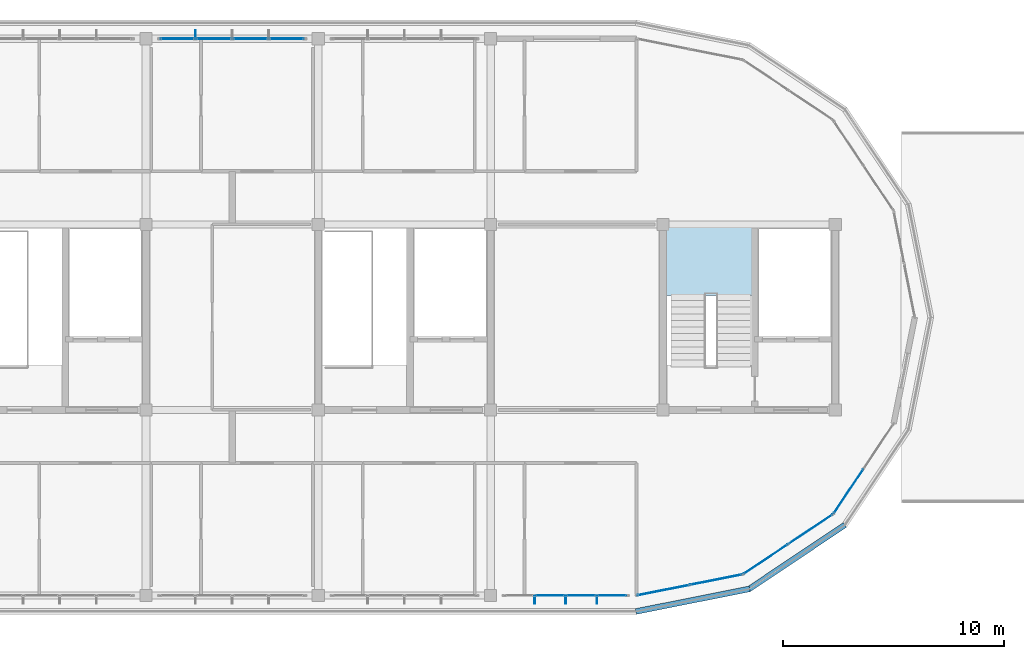
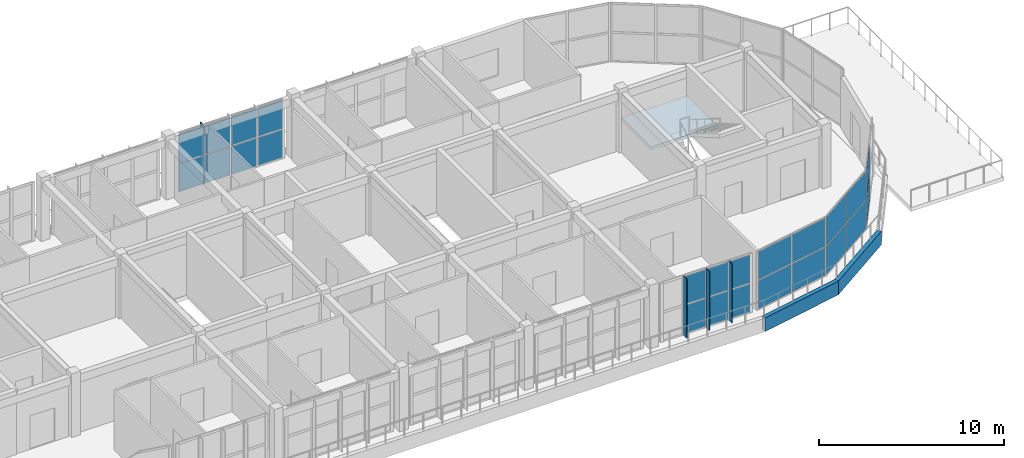
# One storey, part 26 of 33: 30 plates, 1 slab, 6 elements without a shape of their own.
"""IFC4 building model written with IfcOpenShell, lengths in metres."""

from ifc_helpers import new_model, si_unit, direction, frame, origin, origin_2d, place, context, subcontext, project, spatial, polyline, rectangle, outline, extrude, material, layer, layer_set, type_object, element, aggregate, save


model = new_model("IFC4")

# Units and contexts
model_context = context("Model", 3, precision=1e-05, world=origin(), true_north=direction((0.0, 1.0)))
body_context = subcontext(model_context, "Body", "Model", "MODEL_VIEW")
ifc_project = project(units=[si_unit("LENGTHUNIT", "METRE"), si_unit("AREAUNIT", "SQUARE_METRE"), si_unit("VOLUMEUNIT", "CUBIC_METRE"), si_unit("PLANEANGLEUNIT", "RADIAN"), si_unit("MASSUNIT", "GRAM", prefix="KILO")], contexts=[model_context])

# Site, building, storey
site_placement = place(None, origin())
site = spatial("IfcSite", under=ifc_project, at=site_placement, CompositionType="ELEMENT")
building_placement = place(site_placement, origin())
building = spatial("IfcBuilding", under=site, at=building_placement, Name="Zizhar Promenade General Hospital", CompositionType="ELEMENT")
storey_placement = place(building_placement, frame((0.0, 0.0, 39.0)))
storey = spatial("IfcBuildingStorey", under=building, at=storey_placement, Name="L09", CompositionType="ELEMENT", Elevation=39.0)

# Curtain wall, plates
ifc_material_1 = material(Name="Anodised aluminium 6063-T6 and low-E glass", Category="aluminium")
ifc_layer_1 = layer(ifc_material_1, 0.159912109375)
ifc_layer_set_1 = layer_set([ifc_layer_1], Name="Anodised aluminium 6063-T6 and low-E glass")
curtain_wall_type_1 = type_object("IfcCurtainWallType", Name="CW-WARD-ARC", PredefinedType="NOTDEFINED", material=ifc_layer_set_1)
curtain_wall_1_placement = place(storey_placement, origin())
curtain_wall_1 = element("IfcCurtainWall", 1, at=curtain_wall_1_placement, inside=storey, type_object=curtain_wall_type_1, Name="Ward Semicircular End Glazing L09-01", PredefinedType="NOTDEFINED")
ifc_material_2 = material(Name="Low-E solar-control glass", Category="glass")
ifc_layer_2 = layer(ifc_material_2, 0.031982421875)
ifc_layer_set_2 = layer_set([ifc_layer_2], Name="Low-E solar-control glass")
plate_type_1 = type_object("IfcPlateType", Name="CWP-GLZ-32", PredefinedType="CURTAIN_PANEL", material=ifc_layer_set_2)
plate_1_placement = place(storey_placement, frame((96.001708984375, 0.71630859375, 0.06005859375), z_axis=(0.0, 0.0, 1.0), x_axis=(-0.980785889615, -0.195087259275, 0.0)))
plate_1 = element("IfcPlate", 2, at=plate_1_placement, type_object=plate_type_1, Name="CW-12 panel 1.1", PredefinedType="CURTAIN_PANEL", context=body_context, shape_type="SweptSolid", body=[
    extrude(rectangle(XDim=2.3681640625, YDim=0.031982421875, at=origin_2d()), origin(), (0.0, 0.0, 1.0), 1.860107421875),
])
plate_2_placement = place(storey_placement, frame((96.001708984375, 0.71630859375, 1.97998046875), z_axis=(0.0, 0.0, 1.0), x_axis=(-0.980785889615, -0.195087259275, 0.0)))
plate_2 = element("IfcPlate", 3, at=plate_2_placement, type_object=plate_type_1, Name="CW-12 panel 1.2", PredefinedType="CURTAIN_PANEL", context=body_context, shape_type="SweptSolid", body=[
    extrude(rectangle(XDim=2.3681640625, YDim=0.031982421875, at=origin_2d()), origin(), (0.0, 0.0, 1.0), 1.860107421875),
])
plate_3_placement = place(storey_placement, frame((93.6201171875, 0.24267578125, 0.06005859375), z_axis=(0.0, 0.0, 1.0), x_axis=(-0.980785889615, -0.195087259275, 0.0)))
plate_3 = element("IfcPlate", 4, at=plate_3_placement, type_object=plate_type_1, Name="CW-12 panel 2.1", PredefinedType="CURTAIN_PANEL", context=body_context, shape_type="SweptSolid", body=[
    extrude(rectangle(XDim=2.3681640625, YDim=0.031982421875, at=origin_2d()), origin(), (0.0, 0.0, 1.0), 1.860107421875),
])
plate_4_placement = place(storey_placement, frame((93.6201171875, 0.24267578125, 1.97998046875), z_axis=(0.0, 0.0, 1.0), x_axis=(-0.980785889615, -0.195087259275, 0.0)))
plate_4 = element("IfcPlate", 5, at=plate_4_placement, type_object=plate_type_1, Name="CW-12 panel 2.2", PredefinedType="CURTAIN_PANEL", context=body_context, shape_type="SweptSolid", body=[
    extrude(rectangle(XDim=2.3681640625, YDim=0.031982421875, at=origin_2d()), origin(), (0.0, 0.0, 1.0), 1.860107421875),
])
aggregate(curtain_wall_1, [plate_1, plate_2, plate_3, plate_4])

curtain_wall_2_placement = place(storey_placement, origin())
curtain_wall_2 = element("IfcCurtainWall", 6, at=curtain_wall_2_placement, inside=storey, type_object=curtain_wall_type_1, Name="Ward Semicircular End Glazing L09-02", PredefinedType="NOTDEFINED")
plate_5_placement = place(storey_placement, frame((100.275146484375, 2.999267578125, 0.06005859375), z_axis=(0.0, 0.0, 1.0), x_axis=(-0.831461514468, -0.555582352095, 0.0)))
plate_5 = element("IfcPlate", 7, at=plate_5_placement, type_object=plate_type_1, Name="CW-12 panel 1.1", PredefinedType="CURTAIN_PANEL", context=body_context, shape_type="SweptSolid", body=[
    extrude(rectangle(XDim=2.3681640625, YDim=0.031982421875, at=origin_2d()), origin(), (0.0, 0.0, 1.0), 1.860107421875),
])
plate_6_placement = place(storey_placement, frame((100.275146484375, 2.999267578125, 1.97998046875), z_axis=(0.0, 0.0, 1.0), x_axis=(-0.831461514468, -0.555582352095, 0.0)))
plate_6 = element("IfcPlate", 8, at=plate_6_placement, type_object=plate_type_1, Name="CW-12 panel 1.2", PredefinedType="CURTAIN_PANEL", context=body_context, shape_type="SweptSolid", body=[
    extrude(rectangle(XDim=2.3681640625, YDim=0.031982421875, at=origin_2d()), origin(), (0.0, 0.0, 1.0), 1.860107421875),
])
plate_7_placement = place(storey_placement, frame((98.256103515625, 1.650390625, 0.06005859375), z_axis=(0.0, 0.0, 1.0), x_axis=(-0.831461514468, -0.555582352095, 0.0)))
plate_7 = element("IfcPlate", 9, at=plate_7_placement, type_object=plate_type_1, Name="CW-12 panel 2.1", PredefinedType="CURTAIN_PANEL", context=body_context, shape_type="SweptSolid", body=[
    extrude(rectangle(XDim=2.3681640625, YDim=0.031982421875, at=origin_2d()), origin(), (0.0, 0.0, 1.0), 1.860107421875),
])
plate_8_placement = place(storey_placement, frame((98.256103515625, 1.650390625, 1.97998046875), z_axis=(0.0, 0.0, 1.0), x_axis=(-0.831461514468, -0.555582352095, 0.0)))
plate_8 = element("IfcPlate", 10, at=plate_8_placement, type_object=plate_type_1, Name="CW-12 panel 2.2", PredefinedType="CURTAIN_PANEL", context=body_context, shape_type="SweptSolid", body=[
    extrude(rectangle(XDim=2.3681640625, YDim=0.031982421875, at=origin_2d()), origin(), (0.0, 0.0, 1.0), 1.860107421875),
])
aggregate(curtain_wall_2, [plate_5, plate_6, plate_7, plate_8])

curtain_wall_3_placement = place(storey_placement, origin())
curtain_wall_3 = element("IfcCurtainWall", 11, at=curtain_wall_3_placement, inside=storey, type_object=curtain_wall_type_1, Name="Ward Semicircular End Glazing L09-03", PredefinedType="NOTDEFINED")
plate_9_placement = place(storey_placement, frame((102.000732421875, 4.724853515625, 0.06005859375), z_axis=(0.0, 0.0, 1.0), x_axis=(-0.555582352095, -0.831461514468, 0.0)))
plate_9 = element("IfcPlate", 12, at=plate_9_placement, type_object=plate_type_1, Name="CW-12 panel 2.1", PredefinedType="CURTAIN_PANEL", context=body_context, shape_type="SweptSolid", body=[
    extrude(rectangle(XDim=2.3681640625, YDim=0.031982421875, at=origin_2d()), origin(), (0.0, 0.0, 1.0), 1.860107421875),
])
plate_10_placement = place(storey_placement, frame((102.000732421875, 4.724853515625, 1.97998046875), z_axis=(0.0, 0.0, 1.0), x_axis=(-0.555582352095, -0.831461514468, 0.0)))
plate_10 = element("IfcPlate", 13, at=plate_10_placement, type_object=plate_type_1, Name="CW-12 panel 2.2", PredefinedType="CURTAIN_PANEL", context=body_context, shape_type="SweptSolid", body=[
    extrude(rectangle(XDim=2.3681640625, YDim=0.031982421875, at=origin_2d()), origin(), (0.0, 0.0, 1.0), 1.860107421875),
])
aggregate(curtain_wall_3, [plate_9, plate_10])

ifc_material_3 = material(Name="Anodised aluminium 6063-T6 and low-E glass", Category="aluminium")
ifc_layer_3 = layer(ifc_material_3, 0.159912109375)
ifc_layer_set_3 = layer_set([ifc_layer_3], Name="Anodised aluminium 6063-T6 and low-E glass")
curtain_wall_type_2 = type_object("IfcCurtainWallType", Name="CW-WARD-RIB", PredefinedType="NOTDEFINED", material=ifc_layer_set_3)
curtain_wall_4_placement = place(storey_placement, origin())
curtain_wall_4 = element("IfcCurtainWall", 14, at=curtain_wall_4_placement, inside=storey, type_object=curtain_wall_type_2, Name="Ward Ribbon Curtain Wall L09-8-2", PredefinedType="NOTDEFINED")
plate_11_placement = place(storey_placement, frame((71.6298828125, 25.199951171875, 0.06005859375), z_axis=(0.0, 0.0, 1.0), x_axis=(1.0, 0.0, 0.0)))
plate_11 = element("IfcPlate", 15, at=plate_11_placement, type_object=plate_type_1, Name="CW-13 panel 1.1", PredefinedType="CURTAIN_PANEL", context=body_context, shape_type="SweptSolid", body=[
    extrude(rectangle(XDim=1.5400390625, YDim=0.031982421875, at=origin_2d()), origin(), (0.0, 0.0, 1.0), 1.860107421875),
])
plate_12_placement = place(storey_placement, frame((71.6298828125, 25.199951171875, 1.97998046875), z_axis=(0.0, 0.0, 1.0), x_axis=(1.0, 0.0, 0.0)))
plate_12 = element("IfcPlate", 16, at=plate_12_placement, type_object=plate_type_1, Name="CW-13 panel 1.2", PredefinedType="CURTAIN_PANEL", context=body_context, shape_type="SweptSolid", body=[
    extrude(rectangle(XDim=1.5400390625, YDim=0.031982421875, at=origin_2d()), origin(), (0.0, 0.0, 1.0), 1.860107421875),
])
plate_13_placement = place(storey_placement, frame((73.27001953125, 25.199951171875, 0.06005859375), z_axis=(0.0, 0.0, 1.0), x_axis=(1.0, 0.0, 0.0)))
plate_13 = element("IfcPlate", 17, at=plate_13_placement, type_object=plate_type_1, Name="CW-13 panel 2.1", PredefinedType="CURTAIN_PANEL", context=body_context, shape_type="SweptSolid", body=[
    extrude(rectangle(XDim=1.580078125, YDim=0.031982421875, at=origin_2d()), origin(), (0.0, 0.0, 1.0), 1.860107421875),
])
plate_14_placement = place(storey_placement, frame((73.27001953125, 25.199951171875, 1.97998046875), z_axis=(0.0, 0.0, 1.0), x_axis=(1.0, 0.0, 0.0)))
plate_14 = element("IfcPlate", 18, at=plate_14_placement, type_object=plate_type_1, Name="CW-13 panel 2.2", PredefinedType="CURTAIN_PANEL", context=body_context, shape_type="SweptSolid", body=[
    extrude(rectangle(XDim=1.580078125, YDim=0.031982421875, at=origin_2d()), origin(), (0.0, 0.0, 1.0), 1.860107421875),
])
plate_15_placement = place(storey_placement, frame((74.929931640625, 25.199951171875, 0.06005859375), z_axis=(0.0, 0.0, 1.0), x_axis=(1.0, 0.0, 0.0)))
plate_15 = element("IfcPlate", 19, at=plate_15_placement, type_object=plate_type_1, Name="CW-13 panel 3.1", PredefinedType="CURTAIN_PANEL", context=body_context, shape_type="SweptSolid", body=[
    extrude(rectangle(XDim=1.580078125, YDim=0.031982421875, at=origin_2d()), origin(), (0.0, 0.0, 1.0), 1.860107421875),
])
plate_16_placement = place(storey_placement, frame((74.929931640625, 25.199951171875, 1.97998046875), z_axis=(0.0, 0.0, 1.0), x_axis=(1.0, 0.0, 0.0)))
plate_16 = element("IfcPlate", 20, at=plate_16_placement, type_object=plate_type_1, Name="CW-13 panel 3.2", PredefinedType="CURTAIN_PANEL", context=body_context, shape_type="SweptSolid", body=[
    extrude(rectangle(XDim=1.580078125, YDim=0.031982421875, at=origin_2d()), origin(), (0.0, 0.0, 1.0), 1.860107421875),
])
plate_17_placement = place(storey_placement, frame((76.570068359375, 25.199951171875, 0.06005859375), z_axis=(0.0, 0.0, 1.0), x_axis=(1.0, 0.0, 0.0)))
plate_17 = element("IfcPlate", 21, at=plate_17_placement, type_object=plate_type_1, Name="CW-13 panel 4.1", PredefinedType="CURTAIN_PANEL", context=body_context, shape_type="SweptSolid", body=[
    extrude(rectangle(XDim=1.5400390625, YDim=0.031982421875, at=origin_2d()), origin(), (0.0, 0.0, 1.0), 1.860107421875),
])
plate_18_placement = place(storey_placement, frame((76.570068359375, 25.199951171875, 1.97998046875), z_axis=(0.0, 0.0, 1.0), x_axis=(1.0, 0.0, 0.0)))
plate_18 = element("IfcPlate", 22, at=plate_18_placement, type_object=plate_type_1, Name="CW-13 panel 4.2", PredefinedType="CURTAIN_PANEL", context=body_context, shape_type="SweptSolid", body=[
    extrude(rectangle(XDim=1.5400390625, YDim=0.031982421875, at=origin_2d()), origin(), (0.0, 0.0, 1.0), 1.860107421875),
])
aggregate(curtain_wall_4, [plate_11, plate_12, plate_13, plate_14, plate_15, plate_16, plate_17, plate_18])

curtain_wall_5_placement = place(storey_placement, origin())
curtain_wall_5 = element("IfcCurtainWall", 23, at=curtain_wall_5_placement, inside=storey, type_object=curtain_wall_type_2, Name="Ward Ribbon Curtain Wall L09-17-0", PredefinedType="NOTDEFINED")
plate_19_placement = place(storey_placement, frame((91.294921875, 0.0, 0.06005859375), z_axis=(0.0, 0.0, 1.0), x_axis=(-1.0, 0.0, 0.0)))
plate_19 = element("IfcPlate", 24, at=plate_19_placement, type_object=plate_type_1, Name="CW-13 panel 1.1", PredefinedType="CURTAIN_PANEL", context=body_context, shape_type="SweptSolid", body=[
    extrude(rectangle(XDim=1.2900390625, YDim=0.031982421875, at=origin_2d()), origin(), (0.0, 0.0, 1.0), 1.860107421875),
])
plate_20_placement = place(storey_placement, frame((91.294921875, 0.0, 1.97998046875), z_axis=(0.0, 0.0, 1.0), x_axis=(-1.0, 0.0, 0.0)))
plate_20 = element("IfcPlate", 25, at=plate_20_placement, type_object=plate_type_1, Name="CW-13 panel 1.2", PredefinedType="CURTAIN_PANEL", context=body_context, shape_type="SweptSolid", body=[
    extrude(rectangle(XDim=1.2900390625, YDim=0.031982421875, at=origin_2d()), origin(), (0.0, 0.0, 1.0), 1.860107421875),
])
plate_21_placement = place(storey_placement, frame((89.905029296875, 0.0, 0.06005859375), z_axis=(0.0, 0.0, 1.0), x_axis=(-1.0, 0.0, 0.0)))
plate_21 = element("IfcPlate", 26, at=plate_21_placement, type_object=plate_type_1, Name="CW-13 panel 2.1", PredefinedType="CURTAIN_PANEL", context=body_context, shape_type="SweptSolid", body=[
    extrude(rectangle(XDim=1.330078125, YDim=0.031982421875, at=origin_2d()), origin(), (0.0, 0.0, 1.0), 1.860107421875),
])
plate_22_placement = place(storey_placement, frame((89.905029296875, 0.0, 1.97998046875), z_axis=(0.0, 0.0, 1.0), x_axis=(-1.0, 0.0, 0.0)))
plate_22 = element("IfcPlate", 27, at=plate_22_placement, type_object=plate_type_1, Name="CW-13 panel 2.2", PredefinedType="CURTAIN_PANEL", context=body_context, shape_type="SweptSolid", body=[
    extrude(rectangle(XDim=1.330078125, YDim=0.031982421875, at=origin_2d()), origin(), (0.0, 0.0, 1.0), 1.860107421875),
])
plate_23_placement = place(storey_placement, frame((88.4951171875, 0.0, 0.06005859375), z_axis=(0.0, 0.0, 1.0), x_axis=(-1.0, 0.0, 0.0)))
plate_23 = element("IfcPlate", 28, at=plate_23_placement, type_object=plate_type_1, Name="CW-13 panel 3.1", PredefinedType="CURTAIN_PANEL", context=body_context, shape_type="SweptSolid", body=[
    extrude(rectangle(XDim=1.330078125, YDim=0.031982421875, at=origin_2d()), origin(), (0.0, 0.0, 1.0), 1.860107421875),
])
plate_24_placement = place(storey_placement, frame((88.4951171875, 0.0, 1.97998046875), z_axis=(0.0, 0.0, 1.0), x_axis=(-1.0, 0.0, 0.0)))
plate_24 = element("IfcPlate", 29, at=plate_24_placement, type_object=plate_type_1, Name="CW-13 panel 3.2", PredefinedType="CURTAIN_PANEL", context=body_context, shape_type="SweptSolid", body=[
    extrude(rectangle(XDim=1.330078125, YDim=0.031982421875, at=origin_2d()), origin(), (0.0, 0.0, 1.0), 1.860107421875),
])
aggregate(curtain_wall_5, [plate_19, plate_20, plate_21, plate_22, plate_23, plate_24])

# Plates
ifc_material_4 = material(Name="Anodised aluminium 6063-T6", Category="aluminium")
ifc_layer_4 = layer(ifc_material_4, 0.035888671875)
ifc_layer_set_4 = layer_set([ifc_layer_4], Name="Anodised aluminium 6063-T6")
plate_type_2 = type_object("IfcPlateType", Name="FIN-ALU-380", PredefinedType="USERDEFINED", material=ifc_layer_set_4)
plate_25_placement = place(storey_placement, origin())
element("IfcPlate", 30, at=plate_25_placement, inside=storey, type_object=plate_type_2, Name="Ward Ribbon Curtain Wall L09-8-2 Solar Fin 1", ObjectType="SOLAR_SHADE", PredefinedType="USERDEFINED", context=body_context, shape_type="SweptSolid", body=[
    extrude(outline(polyline([(72.422119140625, 25.199951171875), (72.4580078125, 25.199951171875), (72.4580078125, 25.580078125), (72.422119140625, 25.580078125), (72.422119140625, 25.199951171875)])), origin(), (0.0, 0.0, 1.0), 3.89990234375),
])
plate_26_placement = place(storey_placement, origin())
element("IfcPlate", 31, at=plate_26_placement, inside=storey, type_object=plate_type_2, Name="Ward Ribbon Curtain Wall L09-17-0 Solar Fin 1", ObjectType="SOLAR_SHADE", PredefinedType="USERDEFINED", context=body_context, shape_type="SweptSolid", body=[
    extrude(outline(polyline([(90.6279296875, 0.0), (90.592041015625, 0.0), (90.592041015625, -0.3798828125), (90.6279296875, -0.3798828125), (90.6279296875, 0.0)])), origin(), (0.0, 0.0, 1.0), 3.89990234375),
])
plate_27_placement = place(storey_placement, origin())
element("IfcPlate", 32, at=plate_27_placement, inside=storey, type_object=plate_type_2, Name="Ward Ribbon Curtain Wall L09-17-0 Solar Fin 2", ObjectType="SOLAR_SHADE", PredefinedType="USERDEFINED", context=body_context, shape_type="SweptSolid", body=[
    extrude(outline(polyline([(89.218017578125, 0.0), (89.181884765625, 0.0), (89.181884765625, -0.3798828125), (89.218017578125, -0.3798828125), (89.218017578125, 0.0)])), origin(), (0.0, 0.0, 1.0), 3.89990234375),
])
plate_28_placement = place(storey_placement, origin())
element("IfcPlate", 33, at=plate_28_placement, inside=storey, type_object=plate_type_2, Name="Ward Ribbon Curtain Wall L09-17-0 Solar Fin 3", ObjectType="SOLAR_SHADE", PredefinedType="USERDEFINED", context=body_context, shape_type="SweptSolid", body=[
    extrude(outline(polyline([(87.80810546875, 0.0), (87.77197265625, 0.0), (87.77197265625, -0.3798828125), (87.80810546875, -0.3798828125), (87.80810546875, 0.0)])), origin(), (0.0, 0.0, 1.0), 3.89990234375),
])
ifc_material_5 = material(Name="Precast concrete C40/50", Category="concrete")
ifc_layer_5 = layer(ifc_material_5, 0.260009765625)
ifc_layer_set_5 = layer_set([ifc_layer_5], Name="Precast concrete C40/50")
plate_type_3 = type_object("IfcPlateType", Name="PL-PC-BAND950", PredefinedType="USERDEFINED", material=ifc_layer_set_5)
plate_29_placement = place(storey_placement, frame((0.0, 0.0, -0.89990234375)))
element("IfcPlate", 34, at=plate_29_placement, inside=storey, type_object=plate_type_3, Name="Ward Precast Slab Band L09-01", ObjectType="FASCIA_BAND", PredefinedType="USERDEFINED", context=body_context, shape_type="SweptSolid", body=[
    extrude(outline(polyline([(92.39990234375, -0.85009765625), (97.547119140625, 0.173828125), (97.496337890625, 0.4287109375), (92.349365234375, -0.594970703125), (92.39990234375, -0.85009765625)])), origin(), (0.0, 0.0, 1.0), 0.89990234375),
])
plate_30_placement = place(storey_placement, frame((0.0, 0.0, -0.89990234375)))
element("IfcPlate", 35, at=plate_30_placement, inside=storey, type_object=plate_type_3, Name="Ward Precast Slab Band L09-02", ObjectType="FASCIA_BAND", PredefinedType="USERDEFINED", context=body_context, shape_type="SweptSolid", body=[
    extrude(outline(polyline([(97.547119140625, 0.173828125), (101.91064453125, 3.08935546875), (101.76611328125, 3.3056640625), (97.402587890625, 0.389892578125), (97.547119140625, 0.173828125)])), origin(), (0.0, 0.0, 1.0), 0.89990234375),
])

# Stair, slab
ifc_material_6 = material(Name="Concrete C35/45", Category="concrete")
stair_type = type_object("IfcStairType", Name="STR-DOG-420", PredefinedType="HALF_TURN_STAIR", material=ifc_material_6)
stair_placement = place(storey_placement, origin())
stair = element("IfcStair", 36, at=stair_placement, inside=storey, type_object=stair_type, Name="Exit Stair ST-05 (L09 to Roof)", PredefinedType="HALF_TURN_STAIR")
ifc_material_7 = material(Name="Concrete C35/45", Category="concrete")
ifc_layer_6 = layer(ifc_material_7, 0.2099609375)
ifc_layer_set_6 = layer_set([ifc_layer_6], Name="Concrete C35/45")
slab_type = type_object("IfcSlabType", Name="SLB-LAND-420", PredefinedType="LANDING", material=ifc_layer_set_6)
slab_placement = place(storey_placement, frame((0.0, 0.0, 1.889892578125)))
slab = element("IfcSlab", 37, at=slab_placement, type_object=slab_type, Name="ST-05C landing 1", PredefinedType="LANDING", context=body_context, shape_type="SweptSolid", body=[
    extrude(outline(polyline([(93.60009765625, 13.570068359375), (97.75, 13.570068359375), (97.75, 16.800048828125), (93.60009765625, 16.800048828125), (93.60009765625, 13.570068359375)])), origin(), (0.0, 0.0, 1.0), 0.210205078125),
])
aggregate(stair, [slab])

save(model, "model.ifc")
